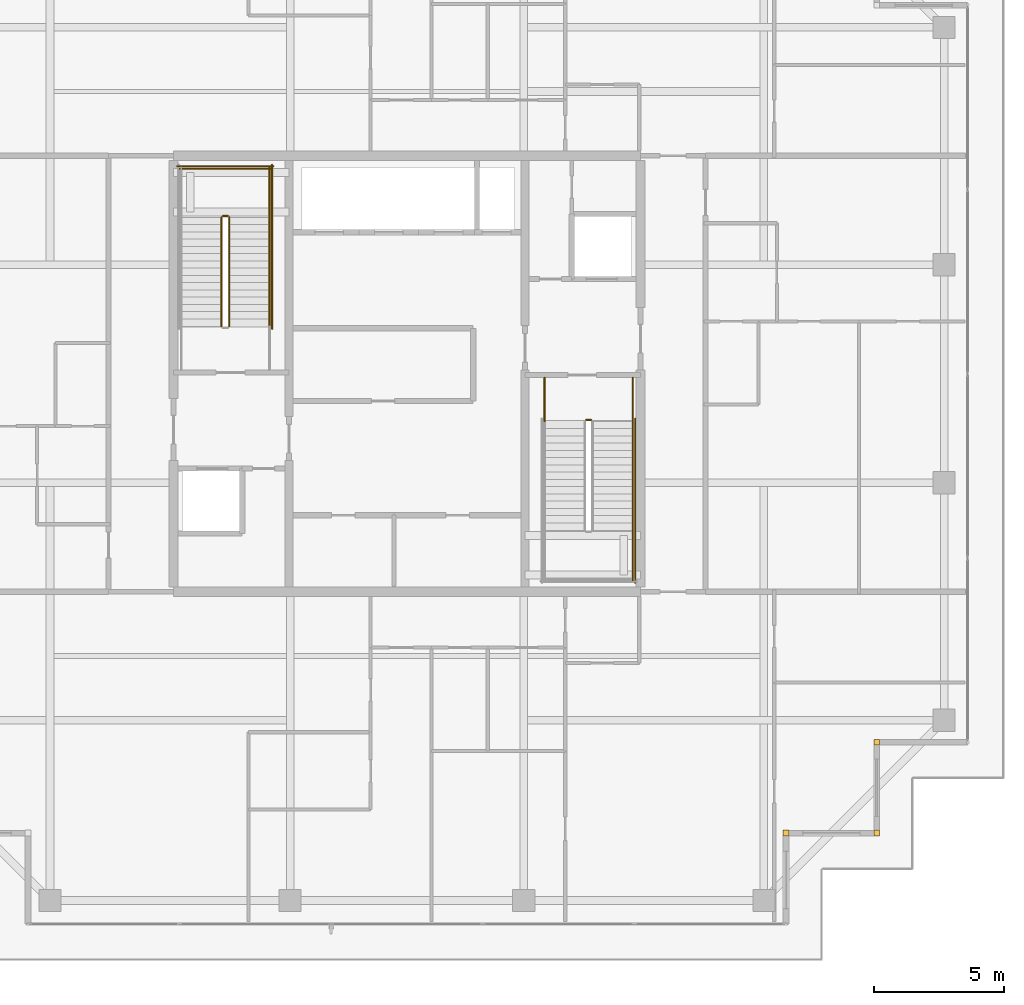
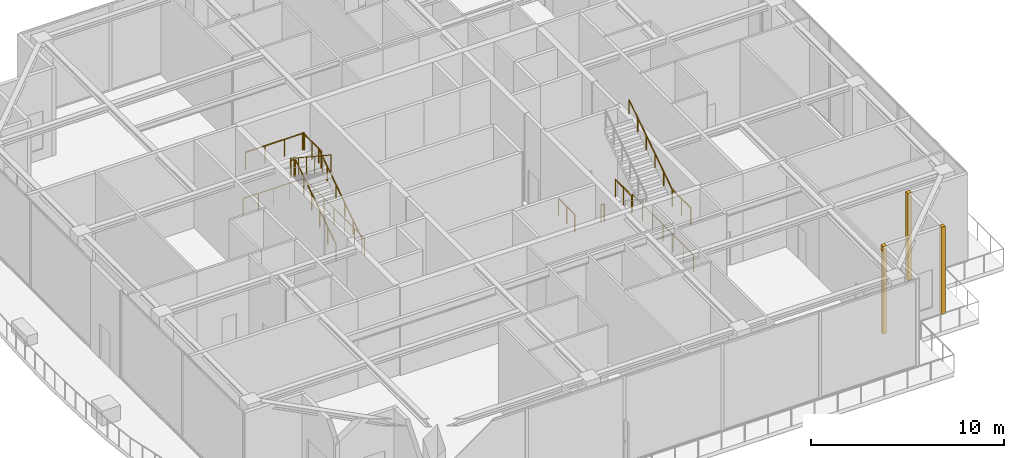
# One storey, part 36 of 38: 14 railings, 3 coverings.
"""IFC4 building model written with IfcOpenShell, lengths in metres."""

import ifcopenshell
import ifcopenshell.guid

model = None  # the IFC model being written
_history = None  # IfcOwnerHistory: only IFC2X3 demands one
_inside = {}  # id of a spatial element -> (the spatial element, [elements in it])
_under = {}  # id of a project, library or spatial element -> (it, [spatial elements below it])
_declared = {}  # id of a project -> (the project, [libraries it declares])
_typed = {}  # id of a type object -> (the type object, [elements of that type])
_made_of = {}  # id of a material, layer set ... -> (it, [elements and type objects made of it])


def new_model(schema):
    """Start an empty IFC model of exactly this schema.

    Asked for "IFC4X3", IfcOpenShell would pick the latest addendum, in which some entities
    have other attributes; the version numbers below select the first issue.
    IFC2X3 requires an IfcOwnerHistory on every rooted entity: one is made here for all.
    """
    global model, _history
    if schema == "IFC4X3":
        model = ifcopenshell.file(schema_version=(4, 3, 0, 0))
    else:
        model = ifcopenshell.file(schema=schema)
    _inside.clear()
    _under.clear()
    _declared.clear()
    _typed.clear()
    _made_of.clear()
    _history = None
    if model.schema == "IFC2X3":
        org = make("IfcOrganization", Name="unknown")
        user = make(
            "IfcPersonAndOrganization",
            ThePerson=make("IfcPerson", FamilyName="unknown"),
            TheOrganization=org,
        )
        app = make(
            "IfcApplication",
            ApplicationDeveloper=org,
            Version="unknown",
            ApplicationFullName="unknown",
            ApplicationIdentifier="unknown",
        )
        _history = make(
            "IfcOwnerHistory",
            OwningUser=user,
            OwningApplication=app,
            ChangeAction="ADDED",
            CreationDate=0,
        )
    return model


def make(cls, **values):
    """One entity of the class cls with the attributes given. An attribute that is None is left unset."""
    return model.create_entity(
        cls, **{name: value for name, value in values.items() if value is not None}
    )


def rooted(cls, **values):
    """An entity with a GlobalId (a new one), such as an element, a storey or a relation."""
    return make(cls, GlobalId=ifcopenshell.guid.new(), OwnerHistory=_history, **values)


def si_unit(unit_type, name, prefix=None):
    """IfcSIUnit, for example si_unit("LENGTHUNIT", "METRE", prefix="MILLI")."""
    return make("IfcSIUnit", UnitType=unit_type, Prefix=prefix, Name=name)


def assignment(units):
    """IfcUnitAssignment: the units of a project."""
    return None if units is None else make("IfcUnitAssignment", Units=units)


def point(xyz):
    """IfcCartesianPoint."""
    return None if xyz is None else make("IfcCartesianPoint", Coordinates=xyz)


def direction(xyz):
    """IfcDirection."""
    return None if xyz is None else make("IfcDirection", DirectionRatios=xyz)


def frame(location, z_axis=None, x_axis=None):
    """IfcAxis2Placement3D, a coordinate frame: its origin and axes. An axis left out is left unset."""
    return make(
        "IfcAxis2Placement3D",
        Location=point(location),
        Axis=direction(z_axis),
        RefDirection=direction(x_axis),
    )


def frame_2d(location, x_axis=None):
    """IfcAxis2Placement2D, a coordinate frame in the plane: its origin and x axis."""
    return make(
        "IfcAxis2Placement2D", Location=point(location), RefDirection=direction(x_axis)
    )


def origin():
    """The frame at (0, 0, 0) with its axes left unset."""
    return frame((0.0, 0.0, 0.0))


def origin_2d():
    """The frame at (0, 0) in the plane with its x axis left unset."""
    return frame_2d((0.0, 0.0))


def place(relative_to, where):
    """IfcLocalPlacement: puts the frame where relative to a parent placement (None: the world)."""
    return make(
        "IfcLocalPlacement", PlacementRelTo=relative_to, RelativePlacement=where
    )


def context(
    kind, dimensions, precision=None, world=None, true_north=None, identifier=None
):
    """IfcGeometricRepresentationContext, for example the 3D "Model" context."""
    return make(
        "IfcGeometricRepresentationContext",
        ContextIdentifier=identifier,
        ContextType=kind,
        CoordinateSpaceDimension=dimensions,
        Precision=precision,
        WorldCoordinateSystem=world,
        TrueNorth=true_north,
    )


def subcontext(parent, identifier, kind, view, scale=None):
    """IfcGeometricRepresentationSubContext, for example "Body" below "Model"."""
    return make(
        "IfcGeometricRepresentationSubContext",
        ContextIdentifier=identifier,
        ContextType=kind,
        ParentContext=parent,
        TargetScale=scale,
        TargetView=view,
    )


def project(units=None, contexts=None):
    """IfcProject with its units and contexts."""
    return rooted(
        "IfcProject",
        Name="project",
        RepresentationContexts=contexts,
        UnitsInContext=assignment(units),
    )


def spatial(cls, under=None, at=None, **own):
    """A site, building, storey or space (cls), placed at a placement, below another one or the project."""
    s = rooted(cls, ObjectPlacement=at, **own)
    if under is not None:
        _under.setdefault(under.id(), (under, []))[1].append(s)
    return s


def profile(cls, at=None, kind="AREA", **sizes):
    """A parametric profile (cls). Its sizes go by their IFC names, for example OverallWidth=200.0."""
    return make(cls, ProfileType=kind, Position=at, **sizes)


def rectangle(**sizes):
    """IfcRectangleProfileDef."""
    return profile("IfcRectangleProfileDef", **sizes)


def circle(**sizes):
    """IfcCircleProfileDef."""
    return profile("IfcCircleProfileDef", **sizes)


def extrude(swept, where, along, depth):
    """IfcExtrudedAreaSolid: the profile swept, set in the frame where, extruded along a direction by depth."""
    return make(
        "IfcExtrudedAreaSolid",
        SweptArea=swept,
        Position=where,
        ExtrudedDirection=direction(along),
        Depth=depth,
    )


def shape(context_of_items, identifier, shape_type, items):
    """IfcShapeRepresentation: the items that make up one representation, for example the "Body"."""
    return make(
        "IfcShapeRepresentation",
        ContextOfItems=context_of_items,
        RepresentationIdentifier=identifier,
        RepresentationType=shape_type,
        Items=items,
    )


def source(mapping_origin, context_of_items, identifier, shape_type, items):
    """IfcRepresentationMap: a shape defined once, which mapped items show again and again."""
    return make(
        "IfcRepresentationMap",
        MappingOrigin=mapping_origin,
        MappedRepresentation=shape(context_of_items, identifier, shape_type, items),
    )


def transform(
    local_origin,
    x_axis=None,
    y_axis=None,
    z_axis=None,
    scale=None,
    scale2=None,
    scale3=None,
    uniform=True,
):
    """IfcCartesianTransformationOperator3D, or its non-uniform kind. x_axis, y_axis, z_axis: its Axis1, 2, 3."""
    if uniform:
        return make(
            "IfcCartesianTransformationOperator3D",
            Axis1=direction(x_axis),
            Axis2=direction(y_axis),
            LocalOrigin=point(local_origin),
            Scale=scale,
            Axis3=direction(z_axis),
        )
    return make(
        "IfcCartesianTransformationOperator3DnonUniform",
        Axis1=direction(x_axis),
        Axis2=direction(y_axis),
        LocalOrigin=point(local_origin),
        Scale=scale,
        Axis3=direction(z_axis),
        Scale2=scale2,
        Scale3=scale3,
    )


def mapped(mapping_source, mapping_target):
    """IfcMappedItem: shows the shape of a source again, moved by a transform."""
    return make(
        "IfcMappedItem", MappingSource=mapping_source, MappingTarget=mapping_target
    )


def material(Name=None, Category=None):
    """IfcMaterial."""
    return make("IfcMaterial", Name=Name, Category=Category)


def layer(
    of_material, thickness, ventilated=None, Name=None, Category=None, Priority=None
):
    """IfcMaterialLayer: one layer of a wall or slab, of a material (None: an air gap)."""
    return make(
        "IfcMaterialLayer",
        Material=of_material,
        LayerThickness=thickness,
        IsVentilated=ventilated,
        Name=Name,
        Category=Category,
        Priority=Priority,
    )


def layer_set(layers, Name=None):
    """IfcMaterialLayerSet."""
    return make("IfcMaterialLayerSet", MaterialLayers=layers, LayerSetName=Name)


def made_of(thing, what):
    """Note that an element or type object is made of a material, layer set ...; save() writes the relation."""
    if what is not None:
        _made_of.setdefault(what.id(), (what, []))[1].append(thing)
    return thing


def type_object(cls, material=None, **own):
    """A type object (cls), such as IfcWallType, which elements share."""
    return made_of(rooted(cls, **own), material)


def element(
    cls,
    number,
    at=None,
    inside=None,
    cuts=None,
    type_object=None,
    material=None,
    context=None,
    identifier="Body",
    shape_type=None,
    held_by="IfcProductDefinitionShape",
    body=None,
    shapes=None,
    **own,
):
    """One element of the class cls, such as IfcWall. Its Tag is "e" and its number.

    at: its placement. inside: the storey or other place that contains it. cuts: it is an
    opening in that element (IfcRelVoidsElement). A single representation is given by context,
    identifier, shape_type and body (its items); several are given by shapes. held_by: the class
    of the entity that holds the representations. save() writes the other relations.
    """
    e = rooted(cls, Tag="e%d" % number, ObjectPlacement=at, **own)
    if body is not None:
        shapes = [shape(context, identifier, shape_type, body)]
    if shapes is not None:
        e.Representation = make(held_by, Representations=shapes)
    if inside is not None:
        _inside.setdefault(inside.id(), (inside, []))[1].append(e)
    if cuts is not None:
        rooted(
            "IfcRelVoidsElement", RelatingBuildingElement=cuts, RelatedOpeningElement=e
        )
    if type_object is not None:
        _typed.setdefault(type_object.id(), (type_object, []))[1].append(e)
    return made_of(e, material)


def aggregate(whole, parts):
    """IfcRelAggregates: a whole, such as a stair, and the parts it consists of."""
    return rooted("IfcRelAggregates", RelatingObject=whole, RelatedObjects=parts)


def save(model, path):
    """Write the relations noted so far, then the file.

    IfcRelAggregates (storeys below a building ...), IfcRelContainedInSpatialStructure (elements
    in a storey), IfcRelDefinesByType, IfcRelAssociatesMaterial and IfcRelDeclares: one each for
    every whole, place, type object, material and project.
    """
    for whole, parts in _under.values():
        aggregate(whole, parts)
    for where, things in _inside.values():
        rooted(
            "IfcRelContainedInSpatialStructure",
            RelatedElements=things,
            RelatingStructure=where,
        )
    for kind, things in _typed.values():
        rooted("IfcRelDefinesByType", RelatedObjects=things, RelatingType=kind)
    for what, things in _made_of.values():
        rooted("IfcRelAssociatesMaterial", RelatedObjects=things, RelatingMaterial=what)
    for by, libraries in _declared.values():
        rooted("IfcRelDeclares", RelatingContext=by, RelatedDefinitions=libraries)
    model.write(path)


model = new_model("IFC4")

# Units and contexts
model_context = context("Model", 3, precision=1e-05, world=origin(), true_north=direction((0.0, 1.0)))
body_context = subcontext(model_context, "Body", "Model", "MODEL_VIEW")
ifc_project = project(units=[si_unit("LENGTHUNIT", "METRE"), si_unit("AREAUNIT", "SQUARE_METRE"), si_unit("VOLUMEUNIT", "CUBIC_METRE"), si_unit("PLANEANGLEUNIT", "RADIAN"), si_unit("MASSUNIT", "GRAM", prefix="KILO")], contexts=[model_context])

# Site, building, storey
site_placement = place(None, origin())
site = spatial("IfcSite", under=ifc_project, at=site_placement, CompositionType="ELEMENT")
building_placement = place(site_placement, origin())
building = spatial("IfcBuilding", under=site, at=building_placement, Name="Serunith Strait Residences", CompositionType="ELEMENT")
storey_placement = place(building_placement, frame((0.0, 0.0, 353.85009765625)))
storey = spatial("IfcBuildingStorey", under=building, at=storey_placement, Name="L87", CompositionType="ELEMENT", Elevation=353.85009765625)

# Railings
ifc_material_1 = material(Name="Brushed stainless steel 316L", Category="steel")
railing_type_1 = type_object("IfcRailingType", Name="RLG-STAIR-GUARD", PredefinedType="BALUSTRADE", material=ifc_material_1)
railing_1_placement = place(storey_placement, frame((25.550048828125, 27.030029296875, 0.184326171875)))
element("IfcRailing", 1, at=railing_1_placement, inside=storey, type_object=railing_type_1, Name="L87 ST-1 stair guard 1", PredefinedType="BALUSTRADE", context=body_context, shape_type="SweptSolid", body=[
    extrude(circle(Radius=0.02392578125, at=origin_2d()), frame((0.0, 0.001708984375, 1.0771484375), z_axis=(0.0, 0.835188813412, 0.549963313278), x_axis=(-1.0, 0.0, 0.0)), (0.0, 0.0, 1.0), 5.024658203125),
    extrude(circle(Radius=0.02099609375, at=origin_2d()), origin(), (0.0, 0.0, 1.0), 1.050048828125),
    extrude(circle(Radius=0.02099609375, at=origin_2d()), frame((0.0, 0.840087890625, 0.55322265625)), (0.0, 0.0, 1.0), 1.050048828125),
    extrude(circle(Radius=0.02099609375, at=origin_2d()), frame((0.0, 1.679931640625, 1.106201171875)), (0.0, 0.0, 1.0), 1.050048828125),
    extrude(circle(Radius=0.02099609375, at=origin_2d()), frame((0.0, 2.52001953125, 1.659423828125)), (0.0, 0.0, 1.0), 1.050048828125),
    extrude(circle(Radius=0.02099609375, at=origin_2d()), frame((0.0, 3.35986328125, 2.21240234375)), (0.0, 0.0, 1.0), 1.050048828125),
    extrude(circle(Radius=0.02099609375, at=origin_2d()), frame((0.0, 4.199951171875, 2.765625)), (0.0, 0.0, 1.0), 1.050048828125),
])
railing_2_placement = place(storey_placement, frame((25.5, 31.280029296875, 2.949951171875)))
element("IfcRailing", 2, at=railing_2_placement, inside=storey, type_object=railing_type_1, Name="L87 ST-1 stair guard 2", PredefinedType="BALUSTRADE", context=body_context, shape_type="SweptSolid", body=[
    extrude(circle(Radius=0.02392578125, at=origin_2d()), frame((-0.001953125, 0.0, 1.076171875), z_axis=(-1.0, 0.0, 0.0), x_axis=(0.0, -1.0, 0.0)), (0.0, 0.0, 1.0), 0.196044921875),
    extrude(circle(Radius=0.02099609375, at=origin_2d()), origin(), (0.0, 0.0, 1.0), 1.050048828125),
    extrude(circle(Radius=0.02099609375, at=origin_2d()), frame((-0.199951171875, 0.0, 0.0)), (0.0, 0.0, 1.0), 1.050048828125),
])
railing_3_placement = place(storey_placement, frame((27.10009765625, 31.22998046875, 2.949951171875)))
element("IfcRailing", 3, at=railing_3_placement, inside=storey, type_object=railing_type_1, Name="L87 ST-1 stair guard 3", PredefinedType="BALUSTRADE", context=body_context, shape_type="SweptSolid", body=[
    extrude(circle(Radius=0.02392578125, at=origin_2d()), frame((0.0, 0.001953125, 1.076171875), z_axis=(0.0, 1.0, 0.0), x_axis=(-1.0, 0.0, 0.0)), (0.0, 0.0, 1.0), 1.916015625),
    extrude(circle(Radius=0.02099609375, at=origin_2d()), origin(), (0.0, 0.0, 1.0), 1.050048828125),
    extrude(circle(Radius=0.02099609375, at=origin_2d()), frame((0.0, 0.9599609375, 0.0)), (0.0, 0.0, 1.0), 1.050048828125),
    extrude(circle(Radius=0.02099609375, at=origin_2d()), frame((0.0, 1.919921875, 0.0)), (0.0, 0.0, 1.0), 1.050048828125),
])
railing_4_placement = place(storey_placement, frame((27.14990234375, 33.10009765625, 2.949951171875)))
element("IfcRailing", 4, at=railing_4_placement, inside=storey, type_object=railing_type_1, Name="L87 ST-1 stair guard 5", PredefinedType="BALUSTRADE", context=body_context, shape_type="SweptSolid", body=[
    extrude(circle(Radius=0.02392578125, at=origin_2d()), frame((-0.001953125, 0.0, 1.076171875), z_axis=(-1.0, 0.0, 0.0), x_axis=(0.0, -1.0, 0.0)), (0.0, 0.0, 1.0), 3.49609375),
    extrude(circle(Radius=0.02099609375, at=origin_2d()), origin(), (0.0, 0.0, 1.0), 1.050048828125),
    extrude(circle(Radius=0.02099609375, at=origin_2d()), frame((-1.166748046875, 0.0, 0.0)), (0.0, 0.0, 1.0), 1.050048828125),
    extrude(circle(Radius=0.02099609375, at=origin_2d()), frame((-2.333251953125, 0.0, 0.0)), (0.0, 0.0, 1.0), 1.050048828125),
    extrude(circle(Radius=0.02099609375, at=origin_2d()), frame((-3.5, 0.0, 0.0)), (0.0, 0.0, 1.0), 1.050048828125),
])
railing_5_placement = place(storey_placement, frame((25.25, 31.22998046875, 3.13427734375)))
element("IfcRailing", 5, at=railing_5_placement, inside=storey, type_object=railing_type_1, Name="L87 ST-1 stair guard 6", PredefinedType="BALUSTRADE", context=body_context, shape_type="SweptSolid", body=[
    extrude(circle(Radius=0.02392578125, at=origin_2d()), frame((0.0, -0.001708984375, 1.0771484375), z_axis=(0.0, -0.835188813412, 0.549963313278), x_axis=(1.0, 0.0, 0.0)), (0.0, 0.0, 1.0), 5.024658203125),
    extrude(circle(Radius=0.02099609375, at=origin_2d()), origin(), (0.0, 0.0, 1.0), 1.050048828125),
    extrude(circle(Radius=0.02099609375, at=origin_2d()), frame((0.0, -0.840087890625, 0.55322265625)), (0.0, 0.0, 1.0), 1.050048828125),
    extrude(circle(Radius=0.02099609375, at=origin_2d()), frame((0.0, -1.679931640625, 1.106201171875)), (0.0, 0.0, 1.0), 1.050048828125),
    extrude(circle(Radius=0.02099609375, at=origin_2d()), frame((0.0, -2.52001953125, 1.659423828125)), (0.0, 0.0, 1.0), 1.050048828125),
    extrude(circle(Radius=0.02099609375, at=origin_2d()), frame((0.0, -3.35986328125, 2.21240234375)), (0.0, 0.0, 1.0), 1.050048828125),
    extrude(circle(Radius=0.02099609375, at=origin_2d()), frame((0.0, -4.199951171875, 2.765625)), (0.0, 0.0, 1.0), 1.050048828125),
])
railing_6_placement = place(storey_placement, frame((27.199951171875, 26.929931640625, 0.0)))
element("IfcRailing", 6, at=railing_6_placement, inside=storey, type_object=railing_type_1, Name="L87 ST-1 stair guard 10", PredefinedType="BALUSTRADE", context=body_context, shape_type="SweptSolid", body=[
    extrude(circle(Radius=0.02392578125, at=origin_2d()), frame((0.0, 0.001953125, 1.076171875), z_axis=(0.0, 1.0, 0.0), x_axis=(-1.0, 0.0, 0.0)), (0.0, 0.0, 1.0), 6.316162109375),
    extrude(circle(Radius=0.02099609375, at=origin_2d()), origin(), (0.0, 0.0, 1.0), 1.050048828125),
    extrude(circle(Radius=0.02099609375, at=origin_2d()), frame((0.0, 1.05322265625, 0.0)), (0.0, 0.0, 1.0), 1.050048828125),
    extrude(circle(Radius=0.02099609375, at=origin_2d()), frame((0.0, 2.106689453125, 0.0)), (0.0, 0.0, 1.0), 1.050048828125),
    extrude(circle(Radius=0.02099609375, at=origin_2d()), frame((0.0, 3.16015625, 0.0)), (0.0, 0.0, 1.0), 1.050048828125),
    extrude(circle(Radius=0.02099609375, at=origin_2d()), frame((0.0, 4.21337890625, 0.0)), (0.0, 0.0, 1.0), 1.050048828125),
    extrude(circle(Radius=0.02099609375, at=origin_2d()), frame((0.0, 5.2666015625, 0.0)), (0.0, 0.0, 1.0), 1.050048828125),
    extrude(circle(Radius=0.02099609375, at=origin_2d()), frame((0.0, 6.320068359375, 0.0)), (0.0, 0.0, 1.0), 1.050048828125),
])
railing_7_placement = place(storey_placement, frame((27.25, 33.199951171875, 0.0)))
element("IfcRailing", 7, at=railing_7_placement, inside=storey, type_object=railing_type_1, Name="L87 ST-1 stair guard 12", PredefinedType="BALUSTRADE", context=body_context, shape_type="SweptSolid", body=[
    extrude(circle(Radius=0.02392578125, at=origin_2d()), frame((-0.001953125, 0.0, 1.076171875), z_axis=(-1.0, 0.0, 0.0), x_axis=(0.0, -1.0, 0.0)), (0.0, 0.0, 1.0), 3.696044921875),
    extrude(circle(Radius=0.02099609375, at=origin_2d()), origin(), (0.0, 0.0, 1.0), 1.050048828125),
    extrude(circle(Radius=0.02099609375, at=origin_2d()), frame((-0.925048828125, 0.0, 0.0)), (0.0, 0.0, 1.0), 1.050048828125),
    extrude(circle(Radius=0.02099609375, at=origin_2d()), frame((-1.85009765625, 0.0, 0.0)), (0.0, 0.0, 1.0), 1.050048828125),
    extrude(circle(Radius=0.02099609375, at=origin_2d()), frame((-2.77490234375, 0.0, 0.0)), (0.0, 0.0, 1.0), 1.050048828125),
    extrude(circle(Radius=0.02099609375, at=origin_2d()), frame((-3.699951171875, 0.0, 0.0)), (0.0, 0.0, 1.0), 1.050048828125),
])
railing_8_placement = place(storey_placement, frame((41.10009765625, 19.169921875, 2.949951171875)))
element("IfcRailing", 8, at=railing_8_placement, inside=storey, type_object=railing_type_1, Name="L87 ST-2 stair guard 4", PredefinedType="BALUSTRADE", context=body_context, shape_type="SweptSolid", body=[
    extrude(circle(Radius=0.02392578125, at=origin_2d()), frame((0.0, -0.001953125, 1.076171875), z_axis=(0.0, -1.0, 0.0), x_axis=(1.0, 0.0, 0.0)), (0.0, 0.0, 1.0), 1.916015625),
    extrude(circle(Radius=0.02099609375, at=origin_2d()), origin(), (0.0, 0.0, 1.0), 1.050048828125),
    extrude(circle(Radius=0.02099609375, at=origin_2d()), frame((0.0, -0.9599609375, 0.0)), (0.0, 0.0, 1.0), 1.050048828125),
    extrude(circle(Radius=0.02099609375, at=origin_2d()), frame((0.0, -1.919921875, 0.0)), (0.0, 0.0, 1.0), 1.050048828125),
])
railing_9_placement = place(storey_placement, frame((39.300048828125, 23.419921875, 0.0)))
element("IfcRailing", 9, at=railing_9_placement, inside=storey, type_object=railing_type_1, Name="L87 ST-2 stair guard 7", PredefinedType="BALUSTRADE", context=body_context, shape_type="SweptSolid", body=[
    extrude(circle(Radius=0.02392578125, at=origin_2d()), frame((0.001953125, 0.0, 1.076171875), z_axis=(1.0, 0.0, 0.0), x_axis=(0.0, 1.0, 0.0)), (0.0, 0.0, 1.0), 0.196044921875),
    extrude(circle(Radius=0.02099609375, at=origin_2d()), origin(), (0.0, 0.0, 1.0), 1.050048828125),
    extrude(circle(Radius=0.02099609375, at=origin_2d()), frame((0.199951171875, 0.0, 0.0)), (0.0, 0.0, 1.0), 1.050048828125),
])
for number, where, name in (
    (10, (37.699951171875, 25.050048828125, 0.0), "L87 ST-2 stair guard 8"),
    (11, (41.10009765625, 25.050048828125, 0.0), "L87 ST-2 stair guard 9"),
):
    element("IfcRailing", number, at=place(storey_placement, frame(where)), inside=storey, type_object=railing_type_1, Name=name, PredefinedType="BALUSTRADE", context=body_context, shape_type="SweptSolid", body=[
        extrude(circle(Radius=0.02392578125, at=origin_2d()), frame((0.0, -0.001953125, 1.076171875), z_axis=(0.0, -1.0, 0.0), x_axis=(1.0, 0.0, 0.0)), (0.0, 0.0, 1.0), 1.676025390625),
        extrude(circle(Radius=0.02099609375, at=origin_2d()), origin(), (0.0, 0.0, 1.0), 1.050048828125),
        extrude(circle(Radius=0.02099609375, at=origin_2d()), frame((0.0, -0.83984375, 0.0)), (0.0, 0.0, 1.0), 1.050048828125),
        extrude(circle(Radius=0.02099609375, at=origin_2d()), frame((0.0, -1.679931640625, 0.0)), (0.0, 0.0, 1.0), 1.050048828125),
    ])
railing_10_placement = place(storey_placement, frame((41.199951171875, 23.469970703125, 0.0)))
element("IfcRailing", 12, at=railing_10_placement, inside=storey, type_object=railing_type_1, Name="L87 ST-2 stair guard 11", PredefinedType="BALUSTRADE", context=body_context, shape_type="SweptSolid", body=[
    extrude(circle(Radius=0.02392578125, at=origin_2d()), frame((0.0, -0.001953125, 1.076171875), z_axis=(0.0, -1.0, 0.0), x_axis=(1.0, 0.0, 0.0)), (0.0, 0.0, 1.0), 6.316162109375),
    extrude(circle(Radius=0.02099609375, at=origin_2d()), origin(), (0.0, 0.0, 1.0), 1.050048828125),
    extrude(circle(Radius=0.02099609375, at=origin_2d()), frame((0.0, -1.05322265625, 0.0)), (0.0, 0.0, 1.0), 1.050048828125),
    extrude(circle(Radius=0.02099609375, at=origin_2d()), frame((0.0, -2.106689453125, 0.0)), (0.0, 0.0, 1.0), 1.050048828125),
    extrude(circle(Radius=0.02099609375, at=origin_2d()), frame((0.0, -3.16015625, 0.0)), (0.0, 0.0, 1.0), 1.050048828125),
    extrude(circle(Radius=0.02099609375, at=origin_2d()), frame((0.0, -4.21337890625, 0.0)), (0.0, 0.0, 1.0), 1.050048828125),
    extrude(circle(Radius=0.02099609375, at=origin_2d()), frame((0.0, -5.2666015625, 0.0)), (0.0, 0.0, 1.0), 1.050048828125),
    extrude(circle(Radius=0.02099609375, at=origin_2d()), frame((0.0, -6.320068359375, 0.0)), (0.0, 0.0, 1.0), 1.050048828125),
])
railing_type_2 = type_object("IfcRailingType", Name="RLG-STAIR-HR", PredefinedType="HANDRAIL", material=ifc_material_1)
railing_11_placement = place(storey_placement, frame((27.10009765625, 27.030029296875, 0.184326171875)))
element("IfcRailing", 13, at=railing_11_placement, inside=storey, type_object=railing_type_2, Name="L87 ST-1 stair handrail 1", PredefinedType="HANDRAIL", context=body_context, shape_type="SweptSolid", body=[
    extrude(circle(Radius=0.02392578125, at=origin_2d()), frame((0.0, 0.001708984375, 0.876953125), z_axis=(0.0, 0.834776682998, 0.55058867544), x_axis=(-1.0, 0.0, 0.0)), (0.0, 0.0, 1.0), 5.36279296875),
    extrude(circle(Radius=0.02099609375, at=origin_2d()), origin(), (0.0, 0.0, 1.0), 0.849853515625),
    extrude(circle(Radius=0.02099609375, at=origin_2d()), frame((0.0, 0.89599609375, 0.591064453125)), (0.0, 0.0, 1.0), 0.849853515625),
    extrude(circle(Radius=0.02099609375, at=origin_2d()), frame((0.0, 1.7919921875, 1.181884765625)), (0.0, 0.0, 1.0), 0.849853515625),
    extrude(circle(Radius=0.02099609375, at=origin_2d()), frame((0.0, 2.68798828125, 1.77294921875)), (0.0, 0.0, 1.0), 0.849853515625),
    extrude(circle(Radius=0.02099609375, at=origin_2d()), frame((0.0, 3.583984375, 2.36376953125)), (0.0, 0.0, 1.0), 0.849853515625),
    extrude(circle(Radius=0.02099609375, at=origin_2d()), frame((0.0, 4.47998046875, 2.954833984375)), (0.0, 0.0, 1.0), 0.849853515625),
])
railing_12_placement = place(storey_placement, frame((41.10009765625, 19.169921875, 3.13427734375)))
element("IfcRailing", 14, at=railing_12_placement, inside=storey, type_object=railing_type_2, Name="L87 ST-2 stair handrail 2", PredefinedType="HANDRAIL", context=body_context, shape_type="SweptSolid", body=[
    extrude(circle(Radius=0.02392578125, at=origin_2d()), frame((0.0, 0.001708984375, 0.876953125), z_axis=(0.0, 0.834755773989, 0.550620375388), x_axis=(-1.0, 0.0, 0.0)), (0.0, 0.0, 1.0), 5.36279296875),
    extrude(circle(Radius=0.02099609375, at=origin_2d()), origin(), (0.0, 0.0, 1.0), 0.849853515625),
    extrude(circle(Radius=0.02099609375, at=origin_2d()), frame((0.0, 0.89599609375, 0.591064453125)), (0.0, 0.0, 1.0), 0.849853515625),
    extrude(circle(Radius=0.02099609375, at=origin_2d()), frame((0.0, 1.7919921875, 1.18212890625)), (0.0, 0.0, 1.0), 0.849853515625),
    extrude(circle(Radius=0.02099609375, at=origin_2d()), frame((0.0, 2.68798828125, 1.77294921875)), (0.0, 0.0, 1.0), 0.849853515625),
    extrude(circle(Radius=0.02099609375, at=origin_2d()), frame((0.0, 3.583984375, 2.364013671875)), (0.0, 0.0, 1.0), 0.849853515625),
    extrude(circle(Radius=0.02099609375, at=origin_2d()), frame((0.0, 4.47998046875, 2.955078125)), (0.0, 0.0, 1.0), 0.849853515625),
])

# Coverings
ifc_material_2 = material(Name="Pale-Champagne Anodised Aluminium", Category="aluminium")
ifc_layer = layer(ifc_material_2, 0.219970703125, Name="Pale-Champagne Anodised Aluminium")
ifc_layer_set = layer_set([ifc_layer], Name="Pale-Champagne Anodised Aluminium")
covering_type = type_object("IfcCoveringType", Name="COV-CORN-TRIM", PredefinedType="CLADDING", material=ifc_layer_set)
shared_shape = source(origin(), body_context, "Body", "SweptSolid", [
    extrude(rectangle(XDim=0.221923828125, YDim=0.221923828125, at=origin_2d()), origin(), (0.0, 0.0, 1.0), 5.52490234375),
])
for number, where, z_axis, x_axis, name in (
    (15, (47.0, 7.5, 0.0), (0.0, 0.0, 1.0), (1.0, 0.0, 0.0), "L87 Girih Serrated Corner Trim Post 02"),
    (16, (50.5, 7.5, 0.0), (0.0, 0.0, 1.0), (1.0, 0.0, 0.0), "L87 Girih Serrated Corner Trim Post 03"),
    (17, (50.5, 11.0, 0.0), (0.0, 0.0, 1.0), (1.0, 0.0, 0.0), "L87 Girih Serrated Corner Trim Post 04"),
):
    element("IfcCovering", number, at=place(storey_placement, frame(where, z_axis=z_axis, x_axis=x_axis)), inside=storey, type_object=covering_type, Name=name, PredefinedType="CLADDING", context=body_context, shape_type="MappedRepresentation", body=[
        mapped(shared_shape, transform((0.0, 0.0, 0.0), scale=1.0)),
    ])

save(model, "model.ifc")
